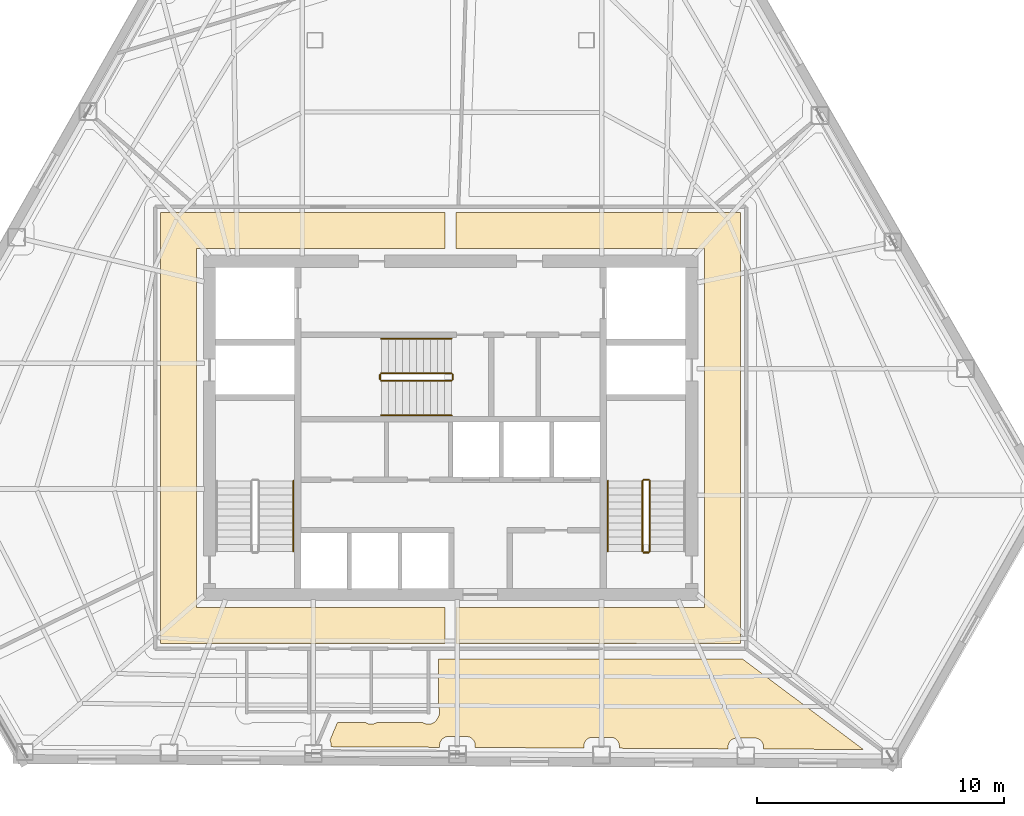
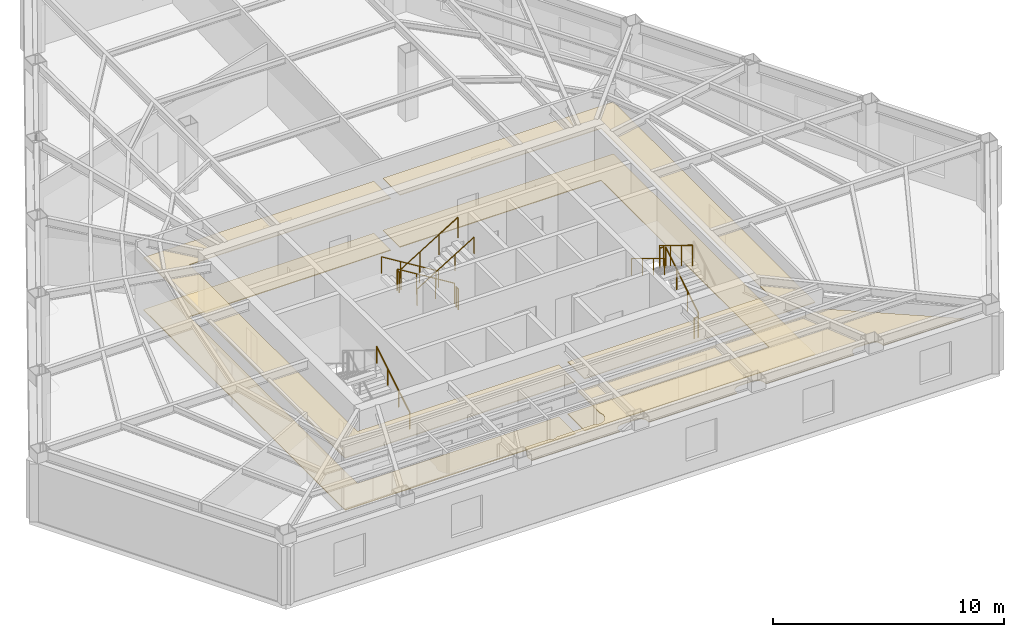
# One storey, part 12 of 13: 12 railings, 5 coverings.
"""IFC4 building model written with IfcOpenShell, lengths in metres."""

from ifc_helpers import new_model, si_unit, direction, frame, origin, origin_2d, place, context, subcontext, project, spatial, polyline, circle, outline, extrude, material, layer, layer_set, type_object, element, save


model = new_model("IFC4")

# Units and contexts
model_context = context("Model", 3, precision=1e-05, world=origin(), true_north=direction((0.0, 1.0)))
body_context = subcontext(model_context, "Body", "Model", "MODEL_VIEW")
ifc_project = project(units=[si_unit("LENGTHUNIT", "METRE"), si_unit("AREAUNIT", "SQUARE_METRE"), si_unit("VOLUMEUNIT", "CUBIC_METRE"), si_unit("PLANEANGLEUNIT", "RADIAN"), si_unit("MASSUNIT", "GRAM", prefix="KILO")], contexts=[model_context])

# Site, building, storey
site_placement = place(None, origin())
site = spatial("IfcSite", under=ifc_project, at=site_placement, CompositionType="ELEMENT")
building_placement = place(site_placement, origin())
building = spatial("IfcBuilding", under=site, at=building_placement, Name="Kavelnor Concourse Tower", CompositionType="ELEMENT")
storey_placement = place(building_placement, frame((0.0, 0.0, 100.89990234375)))
storey = spatial("IfcBuildingStorey", under=building, at=storey_placement, Name="L25", CompositionType="ELEMENT", Elevation=100.89990234375)

# Coverings
ifc_material_1 = material(Name="Mineral fibre acoustic ceiling tile")
ifc_layer_1 = layer(ifc_material_1, 0.0400390625, Name="Mineral fibre acoustic ceiling tile")
ifc_layer_set_1 = layer_set([ifc_layer_1], Name="Mineral fibre acoustic ceiling tile")
covering_type_1 = type_object("IfcCoveringType", Name="COV-CEILING-ACOUSTIC", PredefinedType="CEILING", material=ifc_layer_set_1)
covering_1_placement = place(storey_placement, frame((0.0, 0.0, 2.75)))
element("IfcCovering", 1, at=covering_1_placement, inside=storey, type_object=covering_type_1, Name="L25 Suspended Acoustic Ceiling", PredefinedType="CEILING", context=body_context, shape_type="SweptSolid", body=[
    extrude(outline(polyline([(26.25, 7.3701171875), (26.25, 24.830078125), (37.77490234375, 24.830078125), (37.77490234375, 23.3701171875), (27.7099609375, 23.3701171875), (27.7099609375, 8.830078125), (37.77490234375, 8.830078125), (37.77490234375, 7.3701171875), (26.25, 7.3701171875)])), origin(), (0.0, 0.0, 1.0), 0.0400390625),
])
covering_2_placement = place(storey_placement, frame((0.0, 0.0, 2.75)))
element("IfcCovering", 2, at=covering_2_placement, inside=storey, type_object=covering_type_1, Name="L25 Suspended Acoustic Ceiling", PredefinedType="CEILING", context=body_context, shape_type="SweptSolid", body=[
    extrude(outline(polyline([(49.75, 7.3701171875), (38.22509765625, 7.3701171875), (38.22509765625, 8.830078125), (48.2900390625, 8.830078125), (48.2900390625, 23.3701171875), (38.22509765625, 23.3701171875), (38.22509765625, 24.830078125), (49.75, 24.830078125), (49.75, 7.3701171875)])), origin(), (0.0, 0.0, 1.0), 0.0400390625),
])
covering_3_placement = place(storey_placement, frame((0.0, 0.0, 2.75)))
element("IfcCovering", 3, at=covering_3_placement, inside=storey, type_object=covering_type_1, Name="L25 Suspended Acoustic Ceiling", PredefinedType="CEILING", context=body_context, shape_type="SweptSolid", body=[
    extrude(outline(polyline([(33.41259765625, 4.159912109375), (34.5595703125, 4.159912109375), (34.5888671875, 4.142578125), (34.625, 4.12548828125), (34.662353515625, 4.112060546875), (34.700927734375, 4.102294921875), (34.740234375, 4.096435546875), (34.780029296875, 4.094482421875), (34.819580078125, 4.096435546875), (34.859130859375, 4.102294921875), (34.897705078125, 4.112060546875), (34.93505859375, 4.12548828125), (34.97119140625, 4.142578125), (35.00048828125, 4.159912109375), (36.879638671875, 4.159912109375), (36.908935546875, 4.142578125), (36.94482421875, 4.12548828125), (36.982421875, 4.112060546875), (37.02099609375, 4.102294921875), (37.060302734375, 4.096435546875), (37.10009765625, 4.094482421875), (37.1396484375, 4.096435546875), (37.17919921875, 4.102294921875), (37.2177734375, 4.112060546875), (37.255126953125, 4.12548828125), (37.291015625, 4.142578125), (37.3251953125, 4.162841796875), (37.357177734375, 4.1865234375), (37.38671875, 4.21337890625), (37.413330078125, 4.242919921875), (37.43701171875, 4.27490234375), (37.45751953125, 4.308837890625), (37.474609375, 4.344970703125), (37.4833984375, 4.3701171875), (37.487060546875, 4.374755859375), (37.507568359375, 4.408935546875), (37.524658203125, 4.44482421875), (37.5380859375, 4.482421875), (37.547607421875, 4.52099609375), (37.553466796875, 4.560302734375), (37.555419921875, 4.60009765625), (37.553466796875, 4.6396484375), (37.547607421875, 4.67919921875), (37.5380859375, 4.7177734375), (37.524658203125, 4.755126953125), (37.507568359375, 4.791015625), (37.5048828125, 4.79541015625), (37.5048828125, 6.7275390625), (49.834716796875, 6.7275390625), (54.722900390625, 3.0703125), (50.67626953125, 3.09130859375), (50.67626953125, 3.18359375), (50.6748046875, 3.21044921875), (50.669677734375, 3.24560546875), (50.6611328125, 3.27978515625), (50.649169921875, 3.31298828125), (50.634033203125, 3.34521484375), (50.615966796875, 3.37548828125), (50.5947265625, 3.40380859375), (50.571044921875, 3.429931640625), (50.544921875, 3.453857421875), (50.516357421875, 3.474853515625), (50.486083984375, 3.4931640625), (50.4541015625, 3.50830078125), (50.4208984375, 3.52001953125), (50.386474609375, 3.52880859375), (50.3515625, 3.533935546875), (50.324462890625, 3.53515625), (49.587890625, 3.53515625), (49.560791015625, 3.533935546875), (49.52587890625, 3.52880859375), (49.49169921875, 3.52001953125), (49.458251953125, 3.50830078125), (49.42626953125, 3.4931640625), (49.39599609375, 3.474853515625), (49.36767578125, 3.453857421875), (49.34130859375, 3.429931640625), (49.317626953125, 3.40380859375), (49.29638671875, 3.37548828125), (49.2783203125, 3.34521484375), (49.26318359375, 3.31298828125), (49.251220703125, 3.27978515625), (49.24267578125, 3.24560546875), (49.237548828125, 3.21044921875), (49.236083984375, 3.18359375), (49.236083984375, 3.098876953125), (44.835205078125, 3.121826171875), (44.835205078125, 3.2138671875), (44.833984375, 3.24072265625), (44.82861328125, 3.27587890625), (44.820068359375, 3.31005859375), (44.80810546875, 3.343505859375), (44.793212890625, 3.37548828125), (44.77490234375, 3.40576171875), (44.75390625, 3.43408203125), (44.72998046875, 3.460205078125), (44.703857421875, 3.484130859375), (44.67529296875, 3.505126953125), (44.64501953125, 3.5234375), (44.613037109375, 3.53857421875), (44.579833984375, 3.55029296875), (44.54541015625, 3.55908203125), (44.510498046875, 3.564208984375), (44.4833984375, 3.5654296875), (43.746826171875, 3.5654296875), (43.719970703125, 3.564208984375), (43.684814453125, 3.55908203125), (43.650634765625, 3.55029296875), (43.6171875, 3.53857421875), (43.585205078125, 3.5234375), (43.554931640625, 3.505126953125), (43.526611328125, 3.484130859375), (43.50048828125, 3.460205078125), (43.4765625, 3.43408203125), (43.45556640625, 3.40576171875), (43.437255859375, 3.37548828125), (43.422119140625, 3.343505859375), (43.410400390625, 3.31005859375), (43.401611328125, 3.27587890625), (43.396484375, 3.24072265625), (43.395263671875, 3.2138671875), (43.395263671875, 3.129150390625), (38.994140625, 3.152099609375), (38.994140625, 3.244140625), (38.992919921875, 3.27099609375), (38.98779296875, 3.30615234375), (38.97900390625, 3.34033203125), (38.96728515625, 3.373779296875), (38.9521484375, 3.40576171875), (38.933837890625, 3.43603515625), (38.912841796875, 3.46435546875), (38.888916015625, 3.490478515625), (38.86279296875, 3.514404296875), (38.83447265625, 3.535400390625), (38.80419921875, 3.5537109375), (38.772216796875, 3.56884765625), (38.73876953125, 3.580810546875), (38.70458984375, 3.58935546875), (38.66943359375, 3.594482421875), (38.642578125, 3.595703125), (37.906005859375, 3.595703125), (37.87890625, 3.594482421875), (37.843994140625, 3.58935546875), (37.8095703125, 3.580810546875), (37.7763671875, 3.56884765625), (37.744384765625, 3.5537109375), (37.714111328125, 3.535400390625), (37.685546875, 3.514404296875), (37.659423828125, 3.490478515625), (37.635498046875, 3.46435546875), (37.614501953125, 3.43603515625), (37.59619140625, 3.40576171875), (37.581298828125, 3.373779296875), (37.5693359375, 3.34033203125), (37.560791015625, 3.30615234375), (37.555419921875, 3.27099609375), (37.55419921875, 3.244140625), (37.55419921875, 3.159423828125), (33.1533203125, 3.182373046875), (33.1533203125, 3.2744140625), (33.15185546875, 3.301513671875), (33.146728515625, 3.33642578125), (33.13818359375, 3.370849609375), (33.126220703125, 3.404052734375), (33.111083984375, 3.43603515625), (33.10888671875, 3.43994140625), (33.41259765625, 4.159912109375)])), origin(), (0.0, 0.0, 1.0), 0.0400390625),
])
ifc_material_2 = material(Name="Honed bluestone and raised access floor finish", Category="masonry")
ifc_layer_2 = layer(ifc_material_2, 0.0400390625, Name="Honed bluestone and raised access floor finish")
ifc_layer_set_2 = layer_set([ifc_layer_2], Name="Honed bluestone and raised access floor finish")
covering_type_2 = type_object("IfcCoveringType", Name="COV-FLOOR-STONE", PredefinedType="FLOORING", material=ifc_layer_set_2)
covering_4_placement = place(storey_placement, frame((0.0, 0.0, 0.002197265625)))
element("IfcCovering", 4, at=covering_4_placement, inside=storey, type_object=covering_type_2, Name="L25 Honed Bluestone Floor Finish", PredefinedType="FLOORING", context=body_context, shape_type="SweptSolid", body=[
    extrude(outline(polyline([(26.25, 7.3701171875), (26.25, 24.830078125), (37.77490234375, 24.830078125), (37.77490234375, 23.3701171875), (27.7099609375, 23.3701171875), (27.7099609375, 8.830078125), (37.77490234375, 8.830078125), (37.77490234375, 7.3701171875), (26.25, 7.3701171875)])), origin(), (0.0, 0.0, 1.0), 0.039794921875),
])
covering_5_placement = place(storey_placement, frame((0.0, 0.0, 0.002197265625)))
element("IfcCovering", 5, at=covering_5_placement, inside=storey, type_object=covering_type_2, Name="L25 Honed Bluestone Floor Finish", PredefinedType="FLOORING", context=body_context, shape_type="SweptSolid", body=[
    extrude(outline(polyline([(49.75, 7.3701171875), (38.22509765625, 7.3701171875), (38.22509765625, 8.830078125), (48.2900390625, 8.830078125), (48.2900390625, 23.3701171875), (38.22509765625, 23.3701171875), (38.22509765625, 24.830078125), (49.75, 24.830078125), (49.75, 7.3701171875)])), origin(), (0.0, 0.0, 1.0), 0.039794921875),
])

# Railings
ifc_material_3 = material(Name="Steel Grade 350", Category="steel")
railing_type_1 = type_object("IfcRailingType", Name="RLG-GUARD-1100", PredefinedType="GUARDRAIL", material=ifc_material_3)
railing_1_placement = place(storey_placement, frame((46.070068359375, 11.10009765625, 0.175048828125)))
element("IfcRailing", 6, at=railing_1_placement, inside=storey, type_object=railing_type_1, Name="L25 ST2 stair guard 1", PredefinedType="GUARDRAIL", context=body_context, shape_type="SweptSolid", body=[
    extrude(circle(Radius=0.02392578125, at=origin_2d()), frame((0.0, 0.0, 1.076171875), z_axis=(0.0, 0.852159232446, 0.523282564737), x_axis=(-1.0, 0.0, 0.0)), (0.0, 0.0, 1.0), 3.34423828125),
    extrude(circle(Radius=0.02099609375, at=origin_2d()), origin(), (0.0, 0.0, 1.0), 1.052001953125),
    extrude(circle(Radius=0.02099609375, at=origin_2d()), frame((0.0, 0.949951171875, 0.583251953125)), (0.0, 0.0, 1.0), 1.052001953125),
    extrude(circle(Radius=0.02099609375, at=origin_2d()), frame((0.0, 1.89990234375, 1.166748046875)), (0.0, 0.0, 1.0), 1.052001953125),
    extrude(circle(Radius=0.02099609375, at=origin_2d()), frame((0.0, 2.849853515625, 1.75)), (0.0, 0.0, 1.0), 1.052001953125),
])
railing_2_placement = place(storey_placement, frame((46.02001953125, 14.0, 1.925048828125)))
element("IfcRailing", 7, at=railing_2_placement, inside=storey, type_object=railing_type_1, Name="L25 ST2 stair guard 2", PredefinedType="GUARDRAIL", context=body_context, shape_type="SweptSolid", body=[
    extrude(circle(Radius=0.02392578125, at=origin_2d()), frame((0.0, 0.0, 1.076171875), z_axis=(-1.0, 0.0, 0.0), x_axis=(0.0, -1.0, 0.0)), (0.0, 0.0, 1.0), 0.199951171875),
    extrude(circle(Radius=0.02099609375, at=origin_2d()), origin(), (0.0, 0.0, 1.0), 1.052001953125),
    extrude(circle(Radius=0.02099609375, at=origin_2d()), frame((-0.199951171875, 0.0, 0.0)), (0.0, 0.0, 1.0), 1.052001953125),
])
railing_3_placement = place(storey_placement, frame((45.77001953125, 13.949951171875, 2.10009765625)))
element("IfcRailing", 8, at=railing_3_placement, inside=storey, type_object=railing_type_1, Name="L25 ST2 stair guard 3", PredefinedType="GUARDRAIL", context=body_context, shape_type="SweptSolid", body=[
    extrude(circle(Radius=0.02392578125, at=origin_2d()), frame((0.0, 0.0, 1.076171875), z_axis=(0.0, -0.852159232446, 0.523282564737), x_axis=(1.0, 0.0, 0.0)), (0.0, 0.0, 1.0), 3.34423828125),
    extrude(circle(Radius=0.02099609375, at=origin_2d()), origin(), (0.0, 0.0, 1.0), 1.052001953125),
    extrude(circle(Radius=0.02099609375, at=origin_2d()), frame((0.0, -0.949951171875, 0.583251953125)), (0.0, 0.0, 1.0), 1.052001953125),
    extrude(circle(Radius=0.02099609375, at=origin_2d()), frame((0.0, -1.89990234375, 1.166748046875)), (0.0, 0.0, 1.0), 1.052001953125),
    extrude(circle(Radius=0.02099609375, at=origin_2d()), frame((0.0, -2.849853515625, 1.75)), (0.0, 0.0, 1.0), 1.052001953125),
])
railing_4_placement = place(storey_placement, frame((46.02001953125, 11.050048828125, 0.0)))
element("IfcRailing", 9, at=railing_4_placement, inside=storey, type_object=railing_type_1, Name="L25 ST2 stair guard 4", PredefinedType="GUARDRAIL", context=body_context, shape_type="SweptSolid", body=[
    extrude(circle(Radius=0.02392578125, at=origin_2d()), frame((0.0, 0.0, 1.076171875), z_axis=(-1.0, 0.0, 0.0), x_axis=(0.0, -1.0, 0.0)), (0.0, 0.0, 1.0), 0.199951171875),
    extrude(circle(Radius=0.02099609375, at=origin_2d()), origin(), (0.0, 0.0, 1.0), 1.052001953125),
    extrude(circle(Radius=0.02099609375, at=origin_2d()), frame((-0.199951171875, 0.0, 0.0)), (0.0, 0.0, 1.0), 1.052001953125),
])
railing_5_placement = place(storey_placement, frame((38.0400390625, 18.31005859375, 0.175048828125)))
element("IfcRailing", 10, at=railing_5_placement, inside=storey, type_object=railing_type_1, Name="L25 ST3 stair guard 1", PredefinedType="GUARDRAIL", context=body_context, shape_type="SweptSolid", body=[
    extrude(circle(Radius=0.02392578125, at=origin_2d()), frame((0.0, 0.0, 1.076171875), z_axis=(-0.852179220489, 0.0, 0.52325001306), x_axis=(0.0, -1.0, 0.0)), (0.0, 0.0, 1.0), 3.344482421875),
    extrude(circle(Radius=0.02099609375, at=origin_2d()), origin(), (0.0, 0.0, 1.0), 1.052001953125),
    extrude(circle(Radius=0.02099609375, at=origin_2d()), frame((-0.949951171875, 0.0, 0.583251953125)), (0.0, 0.0, 1.0), 1.052001953125),
    extrude(circle(Radius=0.02099609375, at=origin_2d()), frame((-1.900146484375, 0.0, 1.166748046875)), (0.0, 0.0, 1.0), 1.052001953125),
    extrude(circle(Radius=0.02099609375, at=origin_2d()), frame((-2.85009765625, 0.0, 1.75)), (0.0, 0.0, 1.0), 1.052001953125),
])
railing_6_placement = place(storey_placement, frame((35.139892578125, 18.260009765625, 1.925048828125)))
element("IfcRailing", 11, at=railing_6_placement, inside=storey, type_object=railing_type_1, Name="L25 ST3 stair guard 2", PredefinedType="GUARDRAIL", context=body_context, shape_type="SweptSolid", body=[
    extrude(circle(Radius=0.02392578125, at=origin_2d()), frame((0.0, 0.0, 1.076171875), z_axis=(0.0, -1.0, 0.0), x_axis=(1.0, 0.0, 0.0)), (0.0, 0.0, 1.0), 0.199951171875),
    extrude(circle(Radius=0.02099609375, at=origin_2d()), origin(), (0.0, 0.0, 1.0), 1.052001953125),
    extrude(circle(Radius=0.02099609375, at=origin_2d()), frame((0.0, -0.199951171875, 0.0)), (0.0, 0.0, 1.0), 1.052001953125),
])
railing_7_placement = place(storey_placement, frame((35.18994140625, 18.010009765625, 2.10009765625)))
element("IfcRailing", 12, at=railing_7_placement, inside=storey, type_object=railing_type_1, Name="L25 ST3 stair guard 3", PredefinedType="GUARDRAIL", context=body_context, shape_type="SweptSolid", body=[
    extrude(circle(Radius=0.02392578125, at=origin_2d()), frame((0.0, 0.0, 1.076171875), z_axis=(0.852179220489, 0.0, 0.52325001306), x_axis=(0.0, 1.0, 0.0)), (0.0, 0.0, 1.0), 3.344482421875),
    extrude(circle(Radius=0.02099609375, at=origin_2d()), origin(), (0.0, 0.0, 1.0), 1.052001953125),
    extrude(circle(Radius=0.02099609375, at=origin_2d()), frame((0.949951171875, 0.0, 0.583251953125)), (0.0, 0.0, 1.0), 1.052001953125),
    extrude(circle(Radius=0.02099609375, at=origin_2d()), frame((1.900146484375, 0.0, 1.166748046875)), (0.0, 0.0, 1.0), 1.052001953125),
    extrude(circle(Radius=0.02099609375, at=origin_2d()), frame((2.85009765625, 0.0, 1.75)), (0.0, 0.0, 1.0), 1.052001953125),
])
railing_8_placement = place(storey_placement, frame((38.090087890625, 18.260009765625, 0.0)))
element("IfcRailing", 13, at=railing_8_placement, inside=storey, type_object=railing_type_1, Name="L25 ST3 stair guard 4", PredefinedType="GUARDRAIL", context=body_context, shape_type="SweptSolid", body=[
    extrude(circle(Radius=0.02392578125, at=origin_2d()), frame((0.0, 0.0, 1.076171875), z_axis=(0.0, -1.0, 0.0), x_axis=(1.0, 0.0, 0.0)), (0.0, 0.0, 1.0), 0.199951171875),
    extrude(circle(Radius=0.02099609375, at=origin_2d()), origin(), (0.0, 0.0, 1.0), 1.052001953125),
    extrude(circle(Radius=0.02099609375, at=origin_2d()), frame((0.0, -0.199951171875, 0.0)), (0.0, 0.0, 1.0), 1.052001953125),
])
railing_type_2 = type_object("IfcRailingType", Name="RLG-HANDRAIL-900", PredefinedType="HANDRAIL", material=ifc_material_3)
railing_9_placement = place(storey_placement, frame((31.6298828125, 11.10009765625, 0.175048828125)))
element("IfcRailing", 14, at=railing_9_placement, inside=storey, type_object=railing_type_2, Name="L25 ST1 stair handrail 1", PredefinedType="HANDRAIL", context=body_context, shape_type="SweptSolid", body=[
    extrude(circle(Radius=0.02392578125, at=origin_2d()), frame((0.0, 0.0, 0.8759765625), z_axis=(0.0, 0.852159232446, 0.523282564737), x_axis=(-1.0, 0.0, 0.0)), (0.0, 0.0, 1.0), 3.34423828125),
    extrude(circle(Radius=0.02099609375, at=origin_2d()), origin(), (0.0, 0.0, 1.0), 0.851806640625),
    extrude(circle(Radius=0.02099609375, at=origin_2d()), frame((0.0, 0.949951171875, 0.583251953125)), (0.0, 0.0, 1.0), 0.851806640625),
    extrude(circle(Radius=0.02099609375, at=origin_2d()), frame((0.0, 1.89990234375, 1.166748046875)), (0.0, 0.0, 1.0), 0.851806640625),
    extrude(circle(Radius=0.02099609375, at=origin_2d()), frame((0.0, 2.849853515625, 1.75)), (0.0, 0.0, 1.0), 0.851806640625),
])
railing_10_placement = place(storey_placement, frame((44.3701171875, 13.949951171875, 2.10009765625)))
element("IfcRailing", 15, at=railing_10_placement, inside=storey, type_object=railing_type_2, Name="L25 ST2 stair handrail 2", PredefinedType="HANDRAIL", context=body_context, shape_type="SweptSolid", body=[
    extrude(circle(Radius=0.02392578125, at=origin_2d()), frame((0.0, 0.0, 0.8759765625), z_axis=(0.0, -0.852159232446, 0.523282564737), x_axis=(1.0, 0.0, 0.0)), (0.0, 0.0, 1.0), 3.34423828125),
    extrude(circle(Radius=0.02099609375, at=origin_2d()), origin(), (0.0, 0.0, 1.0), 0.851806640625),
    extrude(circle(Radius=0.02099609375, at=origin_2d()), frame((0.0, -0.949951171875, 0.583251953125)), (0.0, 0.0, 1.0), 0.851806640625),
    extrude(circle(Radius=0.02099609375, at=origin_2d()), frame((0.0, -1.89990234375, 1.166748046875)), (0.0, 0.0, 1.0), 0.851806640625),
    extrude(circle(Radius=0.02099609375, at=origin_2d()), frame((0.0, -2.849853515625, 1.75)), (0.0, 0.0, 1.0), 0.851806640625),
])
railing_11_placement = place(storey_placement, frame((38.0400390625, 19.7099609375, 0.175048828125)))
element("IfcRailing", 16, at=railing_11_placement, inside=storey, type_object=railing_type_2, Name="L25 ST3 stair handrail 1", PredefinedType="HANDRAIL", context=body_context, shape_type="SweptSolid", body=[
    extrude(circle(Radius=0.02392578125, at=origin_2d()), frame((0.0, 0.0, 0.8759765625), z_axis=(-0.852179220489, 0.0, 0.52325001306), x_axis=(0.0, -1.0, 0.0)), (0.0, 0.0, 1.0), 3.344482421875),
    extrude(circle(Radius=0.02099609375, at=origin_2d()), origin(), (0.0, 0.0, 1.0), 0.851806640625),
    extrude(circle(Radius=0.02099609375, at=origin_2d()), frame((-0.949951171875, 0.0, 0.583251953125)), (0.0, 0.0, 1.0), 0.851806640625),
    extrude(circle(Radius=0.02099609375, at=origin_2d()), frame((-1.900146484375, 0.0, 1.166748046875)), (0.0, 0.0, 1.0), 0.851806640625),
    extrude(circle(Radius=0.02099609375, at=origin_2d()), frame((-2.85009765625, 0.0, 1.75)), (0.0, 0.0, 1.0), 0.851806640625),
])
railing_12_placement = place(storey_placement, frame((35.18994140625, 16.610107421875, 2.10009765625)))
element("IfcRailing", 17, at=railing_12_placement, inside=storey, type_object=railing_type_2, Name="L25 ST3 stair handrail 2", PredefinedType="HANDRAIL", context=body_context, shape_type="SweptSolid", body=[
    extrude(circle(Radius=0.02392578125, at=origin_2d()), frame((0.0, 0.0, 0.8759765625), z_axis=(0.852179220489, 0.0, 0.52325001306), x_axis=(0.0, 1.0, 0.0)), (0.0, 0.0, 1.0), 3.344482421875),
    extrude(circle(Radius=0.02099609375, at=origin_2d()), origin(), (0.0, 0.0, 1.0), 0.851806640625),
    extrude(circle(Radius=0.02099609375, at=origin_2d()), frame((0.949951171875, 0.0, 0.583251953125)), (0.0, 0.0, 1.0), 0.851806640625),
    extrude(circle(Radius=0.02099609375, at=origin_2d()), frame((1.900146484375, 0.0, 1.166748046875)), (0.0, 0.0, 1.0), 0.851806640625),
    extrude(circle(Radius=0.02099609375, at=origin_2d()), frame((2.85009765625, 0.0, 1.75)), (0.0, 0.0, 1.0), 0.851806640625),
])

save(model, "model.ifc")
